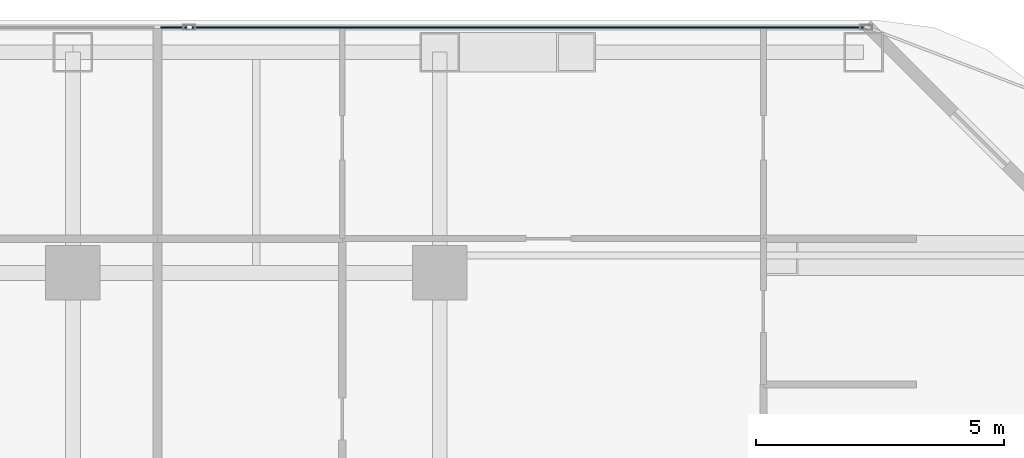
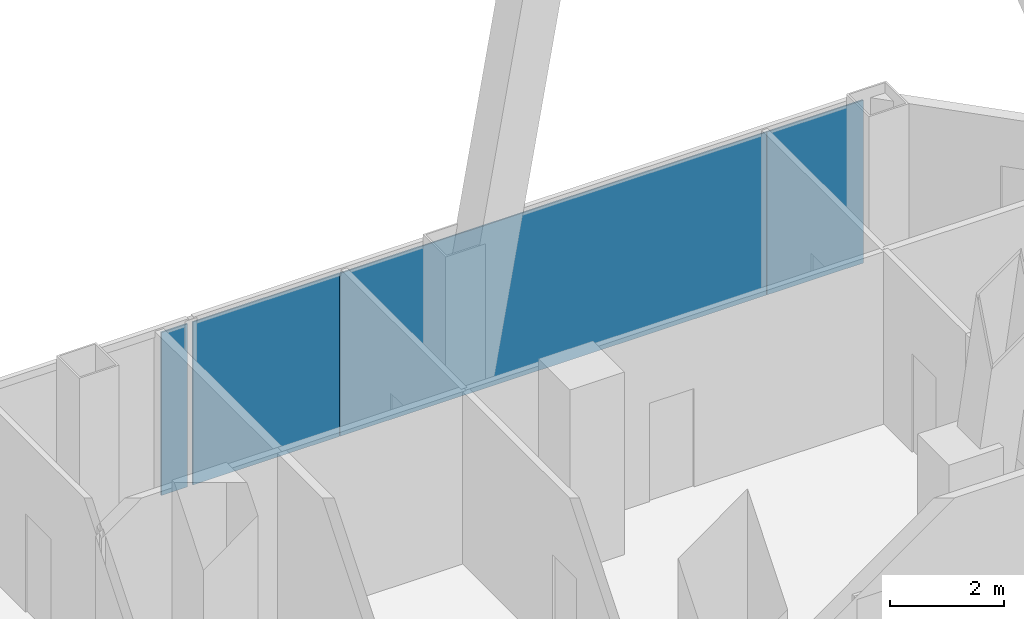
# One storey, part 24 of 33: 4 plates, 1 element without a shape of its own.
"""IFC4 building model written with IfcOpenShell, lengths in metres."""

from ifc_helpers import new_model, si_unit, direction, frame, origin, origin_2d, place, context, subcontext, project, spatial, rectangle, extrude, material, layer, layer_set, type_object, element, aggregate, save


model = new_model("IFC4")

# Units and contexts
model_context = context("Model", 3, precision=1e-05, world=origin(), true_north=direction((0.0, 1.0)))
body_context = subcontext(model_context, "Body", "Model", "MODEL_VIEW")
ifc_project = project(units=[si_unit("LENGTHUNIT", "METRE"), si_unit("AREAUNIT", "SQUARE_METRE"), si_unit("VOLUMEUNIT", "CUBIC_METRE"), si_unit("PLANEANGLEUNIT", "RADIAN"), si_unit("MASSUNIT", "GRAM", prefix="KILO")], contexts=[model_context])

# Site, building, storey
site_placement = place(None, origin())
site = spatial("IfcSite", under=ifc_project, at=site_placement, CompositionType="ELEMENT")
building_placement = place(site_placement, origin())
building = spatial("IfcBuilding", under=site, at=building_placement, Name="Khorvyn Point Tower", CompositionType="ELEMENT")
storey_placement = place(building_placement, frame((0.0, 0.0, 38.39990234375)))
storey = spatial("IfcBuildingStorey", under=building, at=storey_placement, Name="L10", CompositionType="ELEMENT", Elevation=38.39990234375)

# Curtain wall, plates
ifc_material_1 = material(Name="Anodised aluminium 6063-T6 and laminated Low-E glass", Category="aluminium")
ifc_layer_1 = layer(ifc_material_1, 0.18994140625)
ifc_layer_set_1 = layer_set([ifc_layer_1], Name="Stick-Built Finned Residential Curtain Wall CW-SYS-02")
curtain_wall_type = type_object("IfcCurtainWallType", Name="Stick-Built Finned Residential Curtain Wall CW-SYS-02", PredefinedType="NOTDEFINED", material=ifc_layer_set_1)
curtain_wall_placement = place(storey_placement, origin())
curtain_wall = element("IfcCurtainWall", 1, at=curtain_wall_placement, inside=storey, type_object=curtain_wall_type, Name="Curtain Wall", PredefinedType="NOTDEFINED")
ifc_material_2 = material(Name="Laminated Low-E insulated glass", Category="glass")
ifc_layer_2 = layer(ifc_material_2, 0.028076171875)
ifc_layer_set_2 = layer_set([ifc_layer_2], Name="Tempered Low-E Vision Glazing Panel CW-GL28")
plate_type = type_object("IfcPlateType", Name="Tempered Low-E Vision Glazing Panel CW-GL28", PredefinedType="CURTAIN_PANEL", material=ifc_layer_set_2)
plate_1_placement = place(storey_placement, frame((9.4326171875, 25.050048828125, 0.10009765625), z_axis=(0.0, 0.0, 1.0), x_axis=(1.0, 0.0, 0.0)))
plate_1 = element("IfcPlate", 2, at=plate_1_placement, type_object=plate_type, Name="Panel", PredefinedType="CURTAIN_PANEL", context=body_context, shape_type="SweptSolid", body=[
    extrude(rectangle(XDim=0.527099609375, YDim=0.028076171875, at=origin_2d()), origin(), (0.0, 0.0, 1.0), 3.47998046875),
])
plate_2_placement = place(storey_placement, frame((11.287109375, 25.050048828125, 0.10009765625), z_axis=(0.0, 0.0, 1.0), x_axis=(1.0, 0.0, 0.0)))
plate_2 = element("IfcPlate", 3, at=plate_2_placement, type_object=plate_type, Name="Panel", PredefinedType="CURTAIN_PANEL", context=body_context, shape_type="SweptSolid", body=[
    extrude(rectangle(XDim=2.966064453125, YDim=0.028076171875, at=origin_2d()), origin(), (0.0, 0.0, 1.0), 3.47998046875),
])
plate_3_placement = place(storey_placement, frame((17.08203125, 25.050048828125, 0.10009765625), z_axis=(0.0, 0.0, 1.0), x_axis=(1.0, 0.0, 0.0)))
plate_3 = element("IfcPlate", 4, at=plate_3_placement, type_object=plate_type, Name="Panel", PredefinedType="CURTAIN_PANEL", context=body_context, shape_type="SweptSolid", body=[
    extrude(rectangle(XDim=8.60791015625, YDim=0.028076171875, at=origin_2d()), origin(), (0.0, 0.0, 1.0), 3.47998046875),
])
plate_4_placement = place(storey_placement, frame((22.3701171875, 25.050048828125, 0.10009765625), z_axis=(0.0, 0.0, 1.0), x_axis=(1.0, 0.0, 0.0)))
plate_4 = element("IfcPlate", 5, at=plate_4_placement, type_object=plate_type, Name="Panel", PredefinedType="CURTAIN_PANEL", context=body_context, shape_type="SweptSolid", body=[
    extrude(rectangle(XDim=1.951904296875, YDim=0.028076171875, at=origin_2d()), origin(), (0.0, 0.0, 1.0), 3.47998046875),
])
aggregate(curtain_wall, [plate_1, plate_2, plate_3, plate_4])

save(model, "model.ifc")
